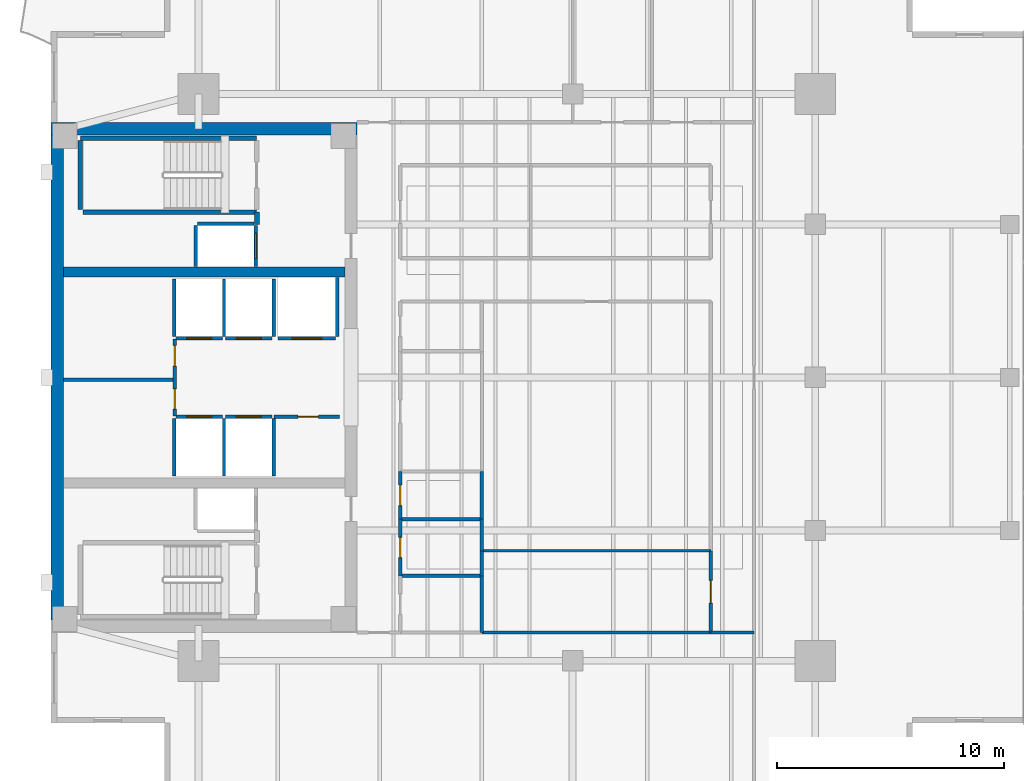
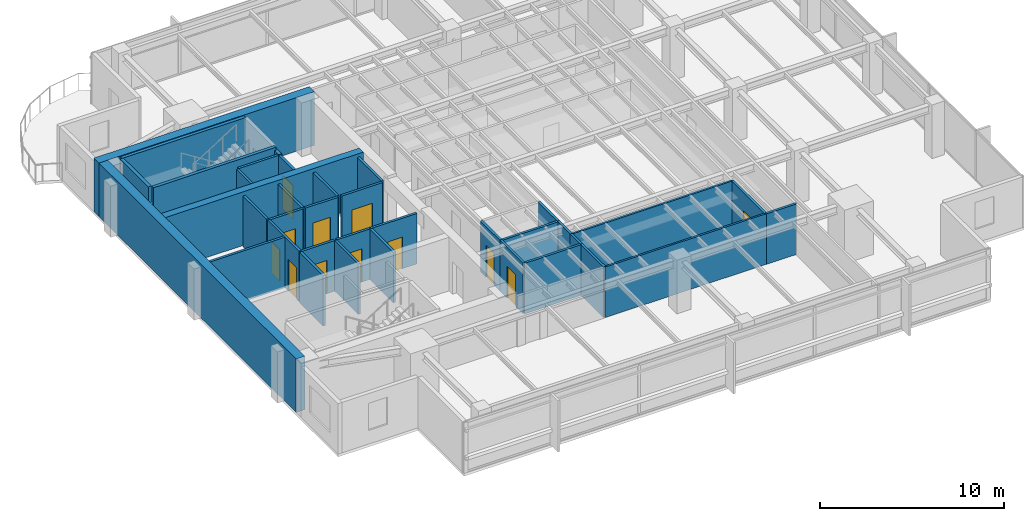
# One storey, part 8 of 15: 37 walls, 12 doors, 12 openings.
"""IFC4 building model written with IfcOpenShell, lengths in metres."""

from ifc_helpers import new_model, si_unit, direction, frame, frame_2d, origin, place, context, subcontext, project, spatial, rectangle, extrude, material, layer, layer_set, type_object, element, fill, save


model = new_model("IFC4")

# Units and contexts
model_context = context("Model", 3, precision=1e-05, world=origin(), true_north=direction((0.0, 1.0)))
body_context = subcontext(model_context, "Body", "Model", "MODEL_VIEW")
ifc_project = project(units=[si_unit("LENGTHUNIT", "METRE"), si_unit("AREAUNIT", "SQUARE_METRE"), si_unit("VOLUMEUNIT", "CUBIC_METRE"), si_unit("PLANEANGLEUNIT", "RADIAN"), si_unit("MASSUNIT", "GRAM", prefix="KILO")], contexts=[model_context])

# Site, building, storey
site_placement = place(None, origin())
site = spatial("IfcSite", under=ifc_project, at=site_placement, CompositionType="ELEMENT")
building_placement = place(site_placement, origin())
building = spatial("IfcBuilding", under=site, at=building_placement, Name="Kinhvarn Gate Tower", CompositionType="ELEMENT")
storey_placement = place(building_placement, frame((0.0, 0.0, 237.75)))
storey = spatial("IfcBuildingStorey", under=building, at=storey_placement, Name="L63", CompositionType="ELEMENT", Elevation=237.75)

# Walls
ifc_material_1 = material(Name="Concrete C50/60", Category="concrete")
ifc_layer_1 = layer(ifc_material_1, 0.449951171875)
ifc_layer_set_1 = layer_set([ifc_layer_1], Name="Concrete C50/60")
wall_type_1 = type_object("IfcWallType", Name="WL-CORE-450", PredefinedType="SHEAR", material=ifc_layer_set_1)
wall_1_placement = place(storey_placement, frame((5.050048828125, 29.89990234375, 0.0), z_axis=(0.0, 0.0, 1.0), x_axis=(1.0, 0.0, 0.0)))
element("IfcWall", 1, at=wall_1_placement, inside=storey, type_object=wall_type_1, Name="Core North Spine Shear Wall L63 450 mm", PredefinedType="SHEAR", context=body_context, shape_type="SweptSolid", body=[
    extrude(rectangle(XDim=12.39990234375, YDim=0.449951171875, at=frame_2d((6.199951171875, 0.0))), origin(), (0.0, 0.0, 1.0), 3.550048828125),
])
ifc_material_2 = material(Name="Concrete C60/75", Category="concrete")
ifc_layer_2 = layer(ifc_material_2, 0.550048828125)
ifc_layer_set_2 = layer_set([ifc_layer_2], Name="Concrete C60/75")
wall_type_2 = type_object("IfcWallType", Name="WL-CORE-550", PredefinedType="SHEAR", material=ifc_layer_set_2)
wall_2_placement = place(storey_placement, frame((4.5, 36.22509765625, 0.0), z_axis=(0.0, 0.0, 1.0), x_axis=(1.0, 0.0, 0.0)))
element("IfcWall", 2, at=wall_2_placement, inside=storey, type_object=wall_type_2, Name="Core North Shear Wall L63 550 mm", PredefinedType="SHEAR", context=body_context, shape_type="SweptSolid", body=[
    extrude(rectangle(XDim=13.5, YDim=0.550048828125, at=frame_2d((6.75, 0.0))), origin(), (0.0, 0.0, 1.0), 3.550048828125),
])
ifc_layer_3 = layer(ifc_material_2, 0.550048828125)
ifc_layer_set_3 = layer_set([ifc_layer_3], Name="Concrete C60/75")
wall_type_3 = type_object("IfcWallType", Name="WL-COREX-550", PredefinedType="SHEAR", material=ifc_layer_set_3)
wall_3_placement = place(storey_placement, frame((4.77490234375, 14.550048828125, 0.0), z_axis=(0.0, 0.0, 1.0), x_axis=(0.0, 1.0, 0.0)))
element("IfcWall", 3, at=wall_3_placement, inside=storey, type_object=wall_type_3, Name="Core West Shear Wall L63 550 mm", PredefinedType="SHEAR", context=body_context, shape_type="SweptSolid", body=[
    extrude(rectangle(XDim=21.39990234375, YDim=0.550048828125, at=frame_2d((10.699951171875, 0.0))), origin(), (0.0, 0.0, 1.0), 3.550048828125),
])
ifc_material_3 = material(Name="Gypsum acoustic partition board")
ifc_layer_4 = layer(ifc_material_3, 0.14990234375)
ifc_layer_set_4 = layer_set([ifc_layer_4], Name="Gypsum acoustic partition board")
wall_type_4 = type_object("IfcWallType", Name="WL-PLM-150", PredefinedType="PLUMBINGWALL", material=ifc_layer_set_4)
wall_4_placement = place(storey_placement, frame((19.89990234375, 16.5, 0.0), z_axis=(0.0, 0.0, 1.0), x_axis=(1.0, 0.0, 0.0)))
element("IfcWall", 4, at=wall_4_placement, inside=storey, type_object=wall_type_4, Name="Interior Partition PLW-150 (L63)", PredefinedType="PLUMBINGWALL", context=body_context, shape_type="SweptSolid", body=[
    extrude(rectangle(XDim=3.60009765625, YDim=0.14990234375, at=frame_2d((1.800048828125, 0.0))), origin(), (0.0, 0.0, 1.0), 3.35009765625),
])
wall_5_placement = place(storey_placement, frame((23.5, 14.0, 0.0), z_axis=(0.0, 0.0, 1.0), x_axis=(0.0, 1.0, 0.0)))
element("IfcWall", 5, at=wall_5_placement, inside=storey, type_object=wall_type_4, Name="Interior Partition PLW-150 (L63)", PredefinedType="PLUMBINGWALL", context=body_context, shape_type="SweptSolid", body=[
    extrude(rectangle(XDim=2.5, YDim=0.14990234375, at=frame_2d((1.25, 0.0))), origin(), (0.0, 0.0, 1.0), 3.35009765625),
])
wall_6_placement = place(storey_placement, frame((19.89990234375, 19.0, 0.0), z_axis=(0.0, 0.0, 1.0), x_axis=(1.0, 0.0, 0.0)))
element("IfcWall", 6, at=wall_6_placement, inside=storey, type_object=wall_type_4, Name="Interior Partition PLW-150 (L63)", PredefinedType="PLUMBINGWALL", context=body_context, shape_type="SweptSolid", body=[
    extrude(rectangle(XDim=3.60009765625, YDim=0.14990234375, at=frame_2d((1.800048828125, 0.0))), origin(), (0.0, 0.0, 1.0), 3.35009765625),
])
wall_7_placement = place(storey_placement, frame((23.5, 16.5, 0.0), z_axis=(0.0, 0.0, 1.0), x_axis=(0.0, 1.0, 0.0)))
element("IfcWall", 7, at=wall_7_placement, inside=storey, type_object=wall_type_4, Name="Interior Partition PLW-150 (L63)", PredefinedType="PLUMBINGWALL", context=body_context, shape_type="SweptSolid", body=[
    extrude(rectangle(XDim=1.10009765625, YDim=0.14990234375, at=frame_2d((0.550048828125, 0.0))), origin(), (0.0, 0.0, 1.0), 3.35009765625),
])
wall_8_placement = place(storey_placement, frame((23.5, 17.60009765625, 0.0), z_axis=(0.0, 0.0, 1.0), x_axis=(0.0, 1.0, 0.0)))
element("IfcWall", 8, at=wall_8_placement, inside=storey, type_object=wall_type_4, Name="Interior Partition PLW-150 (L63)", PredefinedType="PLUMBINGWALL", context=body_context, shape_type="SweptSolid", body=[
    extrude(rectangle(XDim=1.39990234375, YDim=0.14990234375, at=frame_2d((0.699951171875, 0.0))), origin(), (0.0, 0.0, 1.0), 3.35009765625),
])
wall_9_placement = place(storey_placement, frame((23.5, 19.0, 0.0), z_axis=(0.0, 0.0, 1.0), x_axis=(0.0, 1.0, 0.0)))
element("IfcWall", 9, at=wall_9_placement, inside=storey, type_object=wall_type_4, Name="Interior Partition PLW-150 (L63)", PredefinedType="PLUMBINGWALL", context=body_context, shape_type="SweptSolid", body=[
    extrude(rectangle(XDim=2.10009765625, YDim=0.14990234375, at=frame_2d((1.050048828125, 0.0))), origin(), (0.0, 0.0, 1.0), 3.35009765625),
])

# Wall, opening, door
ifc_layer_5 = layer(ifc_material_3, 0.14990234375)
ifc_layer_set_5 = layer_set([ifc_layer_5], Name="Gypsum acoustic partition board")
wall_type_5 = type_object("IfcWallType", Name="WL-PLM-150F", PredefinedType="PLUMBINGWALL", material=ifc_layer_set_5)
wall_10_placement = place(storey_placement, frame((19.89990234375, 16.5, 0.0), z_axis=(0.0, 0.0, 1.0), x_axis=(0.0, 1.0, 0.0)))
wall_10 = element("IfcWall", 10, at=wall_10_placement, inside=storey, type_object=wall_type_5, Name="Interior Partition PLW-150F (L63)", PredefinedType="PLUMBINGWALL", context=body_context, shape_type="SweptSolid", body=[
    extrude(rectangle(XDim=2.5, YDim=0.14990234375, at=frame_2d((1.25, 0.0))), origin(), (0.0, 0.0, 1.0), 3.35009765625),
])
opening_1_placement = place(wall_10_placement, frame((0.800048828125, 0.0, 0.0)))
opening_1 = element("IfcOpeningElement", 11, at=opening_1_placement, cuts=wall_10, Name="Opening FD-04", PredefinedType="OPENING", context=body_context, shape_type="SweptSolid", body=[
    extrude(rectangle(XDim=0.89990234375, YDim=2.10009765625, at=frame_2d((0.449951171875, 1.050048828125))), frame((0.0, 0.0849609375, 0.0), z_axis=(0.0, -1.0, 0.0), x_axis=(1.0, 0.0, 0.0)), (0.0, 0.0, 1.0), 0.169921875),
])
ifc_material_4 = material(Name="Anodised aluminium AW-6063", Category="aluminium")
door_type_1 = type_object("IfcDoorType", Name="DR-FD-900", OperationType="NOTDEFINED", PredefinedType="DOOR", material=ifc_material_4)
door_1_placement = place(opening_1_placement, origin())
door_1 = element("IfcDoor", 12, at=door_1_placement, inside=storey, type_object=door_type_1, Name="Rated Riser & Service Closet Fire Door 900x2100 mm (L63)", OperationType="SINGLE_SWING_RIGHT", OverallHeight=2.10009765625, OverallWidth=0.89990234375, PredefinedType="DOOR", context=body_context, shape_type="SweptSolid", body=[
    extrude(rectangle(XDim=0.89990234375, YDim=2.10009765625, at=frame_2d((0.449951171875, 1.050048828125))), frame((0.0, 0.02490234375, 0.0), z_axis=(0.0, -1.0, 0.0), x_axis=(1.0, 0.0, 0.0)), (0.0, 0.0, 1.0), 0.050048828125),
])
fill(opening_1, door_1)

wall_11_placement = place(storey_placement, frame((19.89990234375, 19.0, 0.0), z_axis=(0.0, 0.0, 1.0), x_axis=(0.0, 1.0, 0.0)))
wall_11 = element("IfcWall", 13, at=wall_11_placement, inside=storey, type_object=wall_type_5, Name="Interior Partition PLW-150F (L63)", PredefinedType="PLUMBINGWALL", context=body_context, shape_type="SweptSolid", body=[
    extrude(rectangle(XDim=2.10009765625, YDim=0.14990234375, at=frame_2d((1.050048828125, 0.0))), origin(), (0.0, 0.0, 1.0), 3.35009765625),
])
opening_2_placement = place(wall_11_placement, frame((0.60009765625, 0.0, 0.0)))
opening_2 = element("IfcOpeningElement", 14, at=opening_2_placement, cuts=wall_11, Name="Opening FD-04", PredefinedType="OPENING", context=body_context, shape_type="SweptSolid", body=[
    extrude(rectangle(XDim=0.89990234375, YDim=2.10009765625, at=frame_2d((0.449951171875, 1.050048828125))), frame((0.0, 0.0849609375, 0.0), z_axis=(0.0, -1.0, 0.0), x_axis=(1.0, 0.0, 0.0)), (0.0, 0.0, 1.0), 0.169921875),
])
door_2_placement = place(opening_2_placement, origin())
door_2 = element("IfcDoor", 15, at=door_2_placement, inside=storey, type_object=door_type_1, Name="Rated Riser & Service Closet Fire Door 900x2100 mm (L63)", OperationType="SINGLE_SWING_LEFT", OverallHeight=2.10009765625, OverallWidth=0.89990234375, PredefinedType="DOOR", context=body_context, shape_type="SweptSolid", body=[
    extrude(rectangle(XDim=0.89990234375, YDim=2.10009765625, at=frame_2d((0.449951171875, 1.050048828125))), frame((0.0, 0.02490234375, 0.0), z_axis=(0.0, -1.0, 0.0), x_axis=(1.0, 0.0, 0.0)), (0.0, 0.0, 1.0), 0.050048828125),
])
fill(opening_2, door_2)

# Walls
ifc_layer_6 = layer(ifc_material_3, 0.1201171875)
ifc_layer_set_6 = layer_set([ifc_layer_6], Name="Gypsum acoustic partition board")
wall_type_6 = type_object("IfcWallType", Name="WL-PRT-120", PredefinedType="PARTITIONING", material=ifc_layer_set_6)
for number, where, z_axis, x_axis, name in (
    (16, (23.5, 17.60009765625, 0.0), (0.0, 0.0, 1.0), (1.0, 0.0, 0.0), "Interior Partition PW-120 (L63)"),
    (17, (23.5, 14.0, 0.0), (0.0, 0.0, 1.0), (1.0, 0.0, 0.0), "Interior Partition PW-120 (L63)"),
):
    element("IfcWall", number, at=place(storey_placement, frame(where, z_axis=z_axis, x_axis=x_axis)), inside=storey, type_object=wall_type_6, Name=name, PredefinedType="PARTITIONING", context=body_context, shape_type="SweptSolid", body=[
        extrude(rectangle(XDim=10.10009765625, YDim=0.1201171875, at=frame_2d((5.050048828125, 0.0))), origin(), (0.0, 0.0, 1.0), 3.35009765625),
    ])
ifc_layer_7 = layer(ifc_material_3, 0.14990234375)
ifc_layer_set_7 = layer_set([ifc_layer_7], Name="Gypsum acoustic partition board")
wall_type_7 = type_object("IfcWallType", Name="WL-PRT-150F", PredefinedType="PARTITIONING", material=ifc_layer_set_7)
wall_12_placement = place(storey_placement, frame((5.050048828125, 25.14990234375, 0.0), z_axis=(0.0, 0.0, 1.0), x_axis=(1.0, 0.0, 0.0)))
element("IfcWall", 18, at=wall_12_placement, inside=storey, type_object=wall_type_7, Name="Interior Partition PW-150F (L63)", PredefinedType="PARTITIONING", context=body_context, shape_type="SweptSolid", body=[
    extrude(rectangle(XDim=4.89990234375, YDim=0.14990234375, at=frame_2d((2.449951171875, 0.0))), origin(), (0.0, 0.0, 1.0), 3.35009765625),
])

# Wall, openings, doors
wall_13_placement = place(storey_placement, frame((9.949951171875, 23.550048828125, 0.0), z_axis=(0.0, 0.0, 1.0), x_axis=(0.0, 1.0, 0.0)))
wall_13 = element("IfcWall", 19, at=wall_13_placement, inside=storey, type_object=wall_type_7, Name="Interior Partition PW-150F (L63)", PredefinedType="PARTITIONING", context=body_context, shape_type="SweptSolid", body=[
    extrude(rectangle(XDim=3.39990234375, YDim=0.14990234375, at=frame_2d((1.699951171875, 0.0))), origin(), (0.0, 0.0, 1.0), 3.35009765625),
])
opening_3_placement = place(wall_13_placement, frame((0.298095703125, 0.0, 0.0)))
opening_3 = element("IfcOpeningElement", 20, at=opening_3_placement, cuts=wall_13, Name="Opening FD-04", PredefinedType="OPENING", context=body_context, shape_type="SweptSolid", body=[
    extrude(rectangle(XDim=0.89990234375, YDim=2.10009765625, at=frame_2d((0.449951171875, 1.050048828125))), frame((0.0, 0.0849609375, 0.0), z_axis=(0.0, -1.0, 0.0), x_axis=(1.0, 0.0, 0.0)), (0.0, 0.0, 1.0), 0.169921875),
])
opening_4_placement = place(wall_13_placement, frame((2.201904296875, 0.0, 0.0)))
opening_4 = element("IfcOpeningElement", 21, at=opening_4_placement, cuts=wall_13, Name="Opening FD-04", PredefinedType="OPENING", context=body_context, shape_type="SweptSolid", body=[
    extrude(rectangle(XDim=0.89990234375, YDim=2.10009765625, at=frame_2d((0.449951171875, 1.050048828125))), frame((0.0, 0.0849609375, 0.0), z_axis=(0.0, -1.0, 0.0), x_axis=(1.0, 0.0, 0.0)), (0.0, 0.0, 1.0), 0.169921875),
])
door_3_placement = place(opening_3_placement, origin())
door_3 = element("IfcDoor", 22, at=door_3_placement, inside=storey, type_object=door_type_1, Name="Rated Riser & Service Closet Fire Door 900x2100 mm (L63)", OperationType="SINGLE_SWING_LEFT", OverallHeight=2.10009765625, OverallWidth=0.89990234375, PredefinedType="DOOR", context=body_context, shape_type="SweptSolid", body=[
    extrude(rectangle(XDim=0.89990234375, YDim=2.10009765625, at=frame_2d((0.449951171875, 1.050048828125))), frame((0.0, 0.02490234375, 0.0), z_axis=(0.0, -1.0, 0.0), x_axis=(1.0, 0.0, 0.0)), (0.0, 0.0, 1.0), 0.050048828125),
])
fill(opening_3, door_3)
door_4_placement = place(opening_4_placement, origin())
door_4 = element("IfcDoor", 23, at=door_4_placement, inside=storey, type_object=door_type_1, Name="Rated Riser & Service Closet Fire Door 900x2100 mm (L63)", OperationType="SINGLE_SWING_RIGHT", OverallHeight=2.10009765625, OverallWidth=0.89990234375, PredefinedType="DOOR", context=body_context, shape_type="SweptSolid", body=[
    extrude(rectangle(XDim=0.89990234375, YDim=2.10009765625, at=frame_2d((0.449951171875, 1.050048828125))), frame((0.0, 0.02490234375, 0.0), z_axis=(0.0, -1.0, 0.0), x_axis=(1.0, 0.0, 0.0)), (0.0, 0.0, 1.0), 0.050048828125),
])
fill(opening_4, door_4)

# Wall, opening, door
wall_14_placement = place(storey_placement, frame((14.330078125, 23.52001953125, 0.0), z_axis=(0.0, 0.0, 1.0), x_axis=(1.0, 0.0, 0.0)))
wall_14 = element("IfcWall", 24, at=wall_14_placement, inside=storey, type_object=wall_type_7, Name="Interior Partition PW-150F (L63)", PredefinedType="PARTITIONING", context=body_context, shape_type="SweptSolid", body=[
    extrude(rectangle(XDim=2.889892578125, YDim=0.14990234375, at=frame_2d((1.44482421875, 0.0))), origin(), (0.0, 0.0, 1.0), 3.35009765625),
])
opening_5_placement = place(wall_14_placement, frame((1.052734375, 0.0, 0.0)))
opening_5 = element("IfcOpeningElement", 25, at=opening_5_placement, cuts=wall_14, Name="Opening FD-04", PredefinedType="OPENING", context=body_context, shape_type="SweptSolid", body=[
    extrude(rectangle(XDim=0.89990234375, YDim=2.10009765625, at=frame_2d((0.449951171875, 1.050048828125))), frame((0.0, 0.0849609375, 0.0), z_axis=(0.0, -1.0, 0.0), x_axis=(1.0, 0.0, 0.0)), (0.0, 0.0, 1.0), 0.169921875),
])
door_5_placement = place(opening_5_placement, origin())
door_5 = element("IfcDoor", 26, at=door_5_placement, inside=storey, type_object=door_type_1, Name="Rated Riser & Service Closet Fire Door 900x2100 mm (L63)", OperationType="SINGLE_SWING_LEFT", OverallHeight=2.10009765625, OverallWidth=0.89990234375, PredefinedType="DOOR", context=body_context, shape_type="SweptSolid", body=[
    extrude(rectangle(XDim=0.89990234375, YDim=2.10009765625, at=frame_2d((0.449951171875, 1.050048828125))), frame((0.0, 0.02490234375, 0.0), z_axis=(0.0, -1.0, 0.0), x_axis=(1.0, 0.0, 0.0)), (0.0, 0.0, 1.0), 0.050048828125),
])
fill(opening_5, door_5)

wall_15_placement = place(storey_placement, frame((33.60009765625, 14.0, 0.0), z_axis=(0.0, 0.0, 1.0), x_axis=(0.0, 1.0, 0.0)))
wall_15 = element("IfcWall", 27, at=wall_15_placement, inside=storey, type_object=wall_type_7, Name="Interior Partition PW-150F (L63)", PredefinedType="PARTITIONING", context=body_context, shape_type="SweptSolid", body=[
    extrude(rectangle(XDim=3.60009765625, YDim=0.14990234375, at=frame_2d((1.800048828125, 0.0))), origin(), (0.0, 0.0, 1.0), 3.35009765625),
])
opening_6_placement = place(wall_15_placement, frame((1.300048828125, 0.0, 0.0)))
opening_6 = element("IfcOpeningElement", 28, at=opening_6_placement, cuts=wall_15, Name="Opening ID-02", PredefinedType="OPENING", context=body_context, shape_type="SweptSolid", body=[
    extrude(rectangle(XDim=1.0, YDim=2.14990234375, at=frame_2d((0.5, 1.074951171875))), frame((0.0, 0.0849609375, 0.0), z_axis=(0.0, -1.0, 0.0), x_axis=(1.0, 0.0, 0.0)), (0.0, 0.0, 1.0), 0.169921875),
])
door_type_2 = type_object("IfcDoorType", Name="DR-INT-1000", OperationType="NOTDEFINED", PredefinedType="DOOR", material=ifc_material_4)
door_6_placement = place(opening_6_placement, origin())
door_6 = element("IfcDoor", 29, at=door_6_placement, inside=storey, type_object=door_type_2, Name="Standard Office & Meeting Room Door 1000x2150 mm (L63)", OperationType="SINGLE_SWING_RIGHT", OverallHeight=2.14990234375, OverallWidth=1.0, PredefinedType="DOOR", context=body_context, shape_type="SweptSolid", body=[
    extrude(rectangle(XDim=1.0, YDim=2.14990234375, at=frame_2d((0.5, 1.074951171875))), frame((0.0, 0.02490234375, 0.0), z_axis=(0.0, -1.0, 0.0), x_axis=(1.0, 0.0, 0.0)), (0.0, 0.0, 1.0), 0.050048828125),
])
fill(opening_6, door_6)

# Walls
wall_16_placement = place(storey_placement, frame((33.60009765625, 14.0, 0.0), z_axis=(0.0, 0.0, 1.0), x_axis=(1.0, 0.0, 0.0)))
element("IfcWall", 30, at=wall_16_placement, inside=storey, type_object=wall_type_7, Name="Interior Partition PW-150F (L63)", PredefinedType="PARTITIONING", context=body_context, shape_type="SweptSolid", body=[
    extrude(rectangle(XDim=1.89990234375, YDim=0.14990234375, at=frame_2d((0.949951171875, 0.0))), origin(), (0.0, 0.0, 1.0), 3.35009765625),
])
ifc_layer_8 = layer(ifc_material_3, 0.199951171875)
ifc_layer_set_8 = layer_set([ifc_layer_8], Name="Gypsum acoustic partition board")
wall_type_8 = type_object("IfcWallType", Name="WL-PRT-200", PredefinedType="PARTITIONING", material=ifc_layer_set_8)
wall_17_placement = place(storey_placement, frame((13.580078125, 32.0, 0.0), z_axis=(0.0, 0.0, 1.0), x_axis=(0.0, 1.0, 0.0)))
element("IfcWall", 31, at=wall_17_placement, inside=storey, type_object=wall_type_8, Name="Interior Partition PW-200 (L63)", PredefinedType="PARTITIONING", context=body_context, shape_type="SweptSolid", body=[
    extrude(rectangle(XDim=0.5400390625, YDim=0.199951171875, at=frame_2d((0.27001953125, 0.0))), origin(), (0.0, 0.0, 1.0), 3.35009765625),
])

# Wall, opening, door
ifc_layer_9 = layer(ifc_material_3, 0.14990234375)
ifc_layer_set_9 = layer_set([ifc_layer_9], Name="Gypsum acoustic partition board")
wall_type_9 = type_object("IfcWallType", Name="WL-SHF-150", PredefinedType="PARTITIONING", material=ifc_layer_set_9)
wall_18_placement = place(storey_placement, frame((10.0, 23.52490234375, 0.0), z_axis=(0.0, 0.0, 1.0), x_axis=(1.0, 0.0, 0.0)))
wall_18 = element("IfcWall", 32, at=wall_18_placement, inside=storey, type_object=wall_type_9, Name="Elevator PH-09 Landing Wall (L63)", PredefinedType="PARTITIONING", context=body_context, shape_type="SweptSolid", body=[
    extrude(rectangle(XDim=2.050048828125, YDim=0.14990234375, at=frame_2d((1.02490234375, 0.0))), origin(), (0.0, 0.0, 1.0), 3.35009765625),
])
opening_7_placement = place(wall_18_placement, frame((0.47509765625, 0.0, 0.0)))
opening_7 = element("IfcOpeningElement", 33, at=opening_7_placement, cuts=wall_18, Name="Opening LD-01", PredefinedType="OPENING", context=body_context, shape_type="SweptSolid", body=[
    extrude(rectangle(XDim=1.10009765625, YDim=2.199951171875, at=frame_2d((0.550048828125, 1.10009765625))), frame((0.0, 0.0849609375, 0.0), z_axis=(0.0, -1.0, 0.0), x_axis=(1.0, 0.0, 0.0)), (0.0, 0.0, 1.0), 0.169921875),
])
door_type_3 = type_object("IfcDoorType", Name="DR-LND-PAS", OperationType="NOTDEFINED", PredefinedType="DOOR", material=ifc_material_4)
door_7_placement = place(opening_7_placement, origin())
door_7 = element("IfcDoor", 34, at=door_7_placement, inside=storey, type_object=door_type_3, Name="Elevator PH-09 Sliding Landing Door (L63)", OperationType="DOUBLE_DOOR_SLIDING", OverallHeight=2.199951171875, OverallWidth=1.10009765625, PredefinedType="DOOR", context=body_context, shape_type="SweptSolid", body=[
    extrude(rectangle(XDim=1.10009765625, YDim=2.199951171875, at=frame_2d((0.550048828125, 1.10009765625))), frame((0.0, 0.02490234375, 0.0), z_axis=(0.0, -1.0, 0.0), x_axis=(1.0, 0.0, 0.0)), (0.0, 0.0, 1.0), 0.050048828125),
])
fill(opening_7, door_7)

# Walls
for number, where, z_axis, x_axis, name in (
    (35, (9.925048828125, 20.89990234375, 0.0), (0.0, 0.0, 1.0), (0.0, 1.0, 0.0), "Elevator PH-09 Hoistway Wall W (L63)"),
    (36, (12.125, 20.89990234375, 0.0), (0.0, 0.0, 1.0), (0.0, 1.0, 0.0), "Elevator PH-09 Hoistway Wall E (L63)"),
):
    element("IfcWall", number, at=place(storey_placement, frame(where, z_axis=z_axis, x_axis=x_axis)), inside=storey, type_object=wall_type_9, Name=name, PredefinedType="PARTITIONING", context=body_context, shape_type="SweptSolid", body=[
        extrude(rectangle(XDim=2.550048828125, YDim=0.14990234375, at=frame_2d((1.27490234375, 0.0))), origin(), (0.0, 0.0, 1.0), 3.35009765625),
    ])

# Wall, opening, door
wall_19_placement = place(storey_placement, frame((12.199951171875, 23.52490234375, 0.0), z_axis=(0.0, 0.0, 1.0), x_axis=(1.0, 0.0, 0.0)))
wall_19 = element("IfcWall", 37, at=wall_19_placement, inside=storey, type_object=wall_type_9, Name="Elevator PH-10 Landing Wall (L63)", PredefinedType="PARTITIONING", context=body_context, shape_type="SweptSolid", body=[
    extrude(rectangle(XDim=2.050048828125, YDim=0.14990234375, at=frame_2d((1.02490234375, 0.0))), origin(), (0.0, 0.0, 1.0), 3.35009765625),
])
opening_8_placement = place(wall_19_placement, frame((0.47509765625, 0.0, 0.0)))
opening_8 = element("IfcOpeningElement", 38, at=opening_8_placement, cuts=wall_19, Name="Opening LD-01", PredefinedType="OPENING", context=body_context, shape_type="SweptSolid", body=[
    extrude(rectangle(XDim=1.10009765625, YDim=2.199951171875, at=frame_2d((0.550048828125, 1.10009765625))), frame((0.0, 0.0849609375, 0.0), z_axis=(0.0, -1.0, 0.0), x_axis=(1.0, 0.0, 0.0)), (0.0, 0.0, 1.0), 0.169921875),
])
door_8_placement = place(opening_8_placement, origin())
door_8 = element("IfcDoor", 39, at=door_8_placement, inside=storey, type_object=door_type_3, Name="Elevator PH-10 Sliding Landing Door (L63)", OperationType="DOUBLE_DOOR_SLIDING", OverallHeight=2.199951171875, OverallWidth=1.10009765625, PredefinedType="DOOR", context=body_context, shape_type="SweptSolid", body=[
    extrude(rectangle(XDim=1.10009765625, YDim=2.199951171875, at=frame_2d((0.550048828125, 1.10009765625))), frame((0.0, 0.02490234375, 0.0), z_axis=(0.0, -1.0, 0.0), x_axis=(1.0, 0.0, 0.0)), (0.0, 0.0, 1.0), 0.050048828125),
])
fill(opening_8, door_8)

# Wall
wall_20_placement = place(storey_placement, frame((14.324951171875, 20.89990234375, 0.0), z_axis=(0.0, 0.0, 1.0), x_axis=(0.0, 1.0, 0.0)))
element("IfcWall", 40, at=wall_20_placement, inside=storey, type_object=wall_type_9, Name="Elevator PH-10 Hoistway Wall E (L63)", PredefinedType="PARTITIONING", context=body_context, shape_type="SweptSolid", body=[
    extrude(rectangle(XDim=2.550048828125, YDim=0.14990234375, at=frame_2d((1.27490234375, 0.0))), origin(), (0.0, 0.0, 1.0), 3.35009765625),
])

# Wall, opening, door
wall_21_placement = place(storey_placement, frame((10.0, 26.97509765625, 0.0), z_axis=(0.0, 0.0, 1.0), x_axis=(1.0, 0.0, 0.0)))
wall_21 = element("IfcWall", 41, at=wall_21_placement, inside=storey, type_object=wall_type_9, Name="Elevator PH-11 Landing Wall (L63)", PredefinedType="PARTITIONING", context=body_context, shape_type="SweptSolid", body=[
    extrude(rectangle(XDim=2.050048828125, YDim=0.14990234375, at=frame_2d((1.02490234375, 0.0))), origin(), (0.0, 0.0, 1.0), 3.35009765625),
])
opening_9_placement = place(wall_21_placement, frame((0.47509765625, 0.0, 0.0)))
opening_9 = element("IfcOpeningElement", 42, at=opening_9_placement, cuts=wall_21, Name="Opening LD-01", PredefinedType="OPENING", context=body_context, shape_type="SweptSolid", body=[
    extrude(rectangle(XDim=1.10009765625, YDim=2.199951171875, at=frame_2d((0.550048828125, 1.10009765625))), frame((0.0, 0.0849609375, 0.0), z_axis=(0.0, -1.0, 0.0), x_axis=(1.0, 0.0, 0.0)), (0.0, 0.0, 1.0), 0.169921875),
])
door_9_placement = place(opening_9_placement, origin())
door_9 = element("IfcDoor", 43, at=door_9_placement, inside=storey, type_object=door_type_3, Name="Elevator PH-11 Sliding Landing Door (L63)", OperationType="DOUBLE_DOOR_SLIDING", OverallHeight=2.199951171875, OverallWidth=1.10009765625, PredefinedType="DOOR", context=body_context, shape_type="SweptSolid", body=[
    extrude(rectangle(XDim=1.10009765625, YDim=2.199951171875, at=frame_2d((0.550048828125, 1.10009765625))), frame((0.0, 0.02490234375, 0.0), z_axis=(0.0, -1.0, 0.0), x_axis=(1.0, 0.0, 0.0)), (0.0, 0.0, 1.0), 0.050048828125),
])
fill(opening_9, door_9)

# Walls
for number, where, z_axis, x_axis, name in (
    (44, (9.925048828125, 27.050048828125, 0.0), (0.0, 0.0, 1.0), (0.0, 1.0, 0.0), "Elevator PH-11 Hoistway Wall W (L63)"),
    (45, (12.125, 27.050048828125, 0.0), (0.0, 0.0, 1.0), (0.0, 1.0, 0.0), "Elevator PH-11 Hoistway Wall E (L63)"),
):
    element("IfcWall", number, at=place(storey_placement, frame(where, z_axis=z_axis, x_axis=x_axis)), inside=storey, type_object=wall_type_9, Name=name, PredefinedType="PARTITIONING", context=body_context, shape_type="SweptSolid", body=[
        extrude(rectangle(XDim=2.550048828125, YDim=0.14990234375, at=frame_2d((1.27490234375, 0.0))), origin(), (0.0, 0.0, 1.0), 3.35009765625),
    ])

# Wall, opening, door
wall_22_placement = place(storey_placement, frame((12.199951171875, 26.97509765625, 0.0), z_axis=(0.0, 0.0, 1.0), x_axis=(1.0, 0.0, 0.0)))
wall_22 = element("IfcWall", 46, at=wall_22_placement, inside=storey, type_object=wall_type_9, Name="Elevator PH-12 Landing Wall (L63)", PredefinedType="PARTITIONING", context=body_context, shape_type="SweptSolid", body=[
    extrude(rectangle(XDim=2.050048828125, YDim=0.14990234375, at=frame_2d((1.02490234375, 0.0))), origin(), (0.0, 0.0, 1.0), 3.35009765625),
])
opening_10_placement = place(wall_22_placement, frame((0.47509765625, 0.0, 0.0)))
opening_10 = element("IfcOpeningElement", 47, at=opening_10_placement, cuts=wall_22, Name="Opening LD-01", PredefinedType="OPENING", context=body_context, shape_type="SweptSolid", body=[
    extrude(rectangle(XDim=1.10009765625, YDim=2.199951171875, at=frame_2d((0.550048828125, 1.10009765625))), frame((0.0, 0.0849609375, 0.0), z_axis=(0.0, -1.0, 0.0), x_axis=(1.0, 0.0, 0.0)), (0.0, 0.0, 1.0), 0.169921875),
])
door_10_placement = place(opening_10_placement, origin())
door_10 = element("IfcDoor", 48, at=door_10_placement, inside=storey, type_object=door_type_3, Name="Elevator PH-12 Sliding Landing Door (L63)", OperationType="DOUBLE_DOOR_SLIDING", OverallHeight=2.199951171875, OverallWidth=1.10009765625, PredefinedType="DOOR", context=body_context, shape_type="SweptSolid", body=[
    extrude(rectangle(XDim=1.10009765625, YDim=2.199951171875, at=frame_2d((0.550048828125, 1.10009765625))), frame((0.0, 0.02490234375, 0.0), z_axis=(0.0, -1.0, 0.0), x_axis=(1.0, 0.0, 0.0)), (0.0, 0.0, 1.0), 0.050048828125),
])
fill(opening_10, door_10)

# Wall
wall_23_placement = place(storey_placement, frame((14.324951171875, 27.050048828125, 0.0), z_axis=(0.0, 0.0, 1.0), x_axis=(0.0, 1.0, 0.0)))
element("IfcWall", 49, at=wall_23_placement, inside=storey, type_object=wall_type_9, Name="Elevator PH-12 Hoistway Wall E (L63)", PredefinedType="PARTITIONING", context=body_context, shape_type="SweptSolid", body=[
    extrude(rectangle(XDim=2.550048828125, YDim=0.14990234375, at=frame_2d((1.27490234375, 0.0))), origin(), (0.0, 0.0, 1.0), 3.35009765625),
])

# Wall, opening, door
wall_24_placement = place(storey_placement, frame((14.5, 26.97509765625, 0.0), z_axis=(0.0, 0.0, 1.0), x_axis=(1.0, 0.0, 0.0)))
wall_24 = element("IfcWall", 50, at=wall_24_placement, inside=storey, type_object=wall_type_9, Name="Elevator SV-01 Landing Wall (L63)", PredefinedType="PARTITIONING", context=body_context, shape_type="SweptSolid", body=[
    extrude(rectangle(XDim=2.550048828125, YDim=0.14990234375, at=frame_2d((1.27490234375, 0.0))), origin(), (0.0, 0.0, 1.0), 3.35009765625),
])
opening_11_placement = place(wall_24_placement, frame((0.625, 0.0, 0.0)))
opening_11 = element("IfcOpeningElement", 51, at=opening_11_placement, cuts=wall_24, Name="Opening LD-02", PredefinedType="OPENING", context=body_context, shape_type="SweptSolid", body=[
    extrude(rectangle(XDim=1.300048828125, YDim=2.199951171875, at=frame_2d((0.64990234375, 1.10009765625))), frame((0.0, 0.0849609375, 0.0), z_axis=(0.0, -1.0, 0.0), x_axis=(1.0, 0.0, 0.0)), (0.0, 0.0, 1.0), 0.169921875),
])
door_type_4 = type_object("IfcDoorType", Name="DR-LND-SRV", OperationType="NOTDEFINED", PredefinedType="DOOR", material=ifc_material_4)
door_11_placement = place(opening_11_placement, origin())
door_11 = element("IfcDoor", 52, at=door_11_placement, inside=storey, type_object=door_type_4, Name="Elevator SV-01 Sliding Landing Door (L63)", OperationType="DOUBLE_DOOR_SLIDING", OverallHeight=2.199951171875, OverallWidth=1.300048828125, PredefinedType="DOOR", context=body_context, shape_type="SweptSolid", body=[
    extrude(rectangle(XDim=1.300048828125, YDim=2.199951171875, at=frame_2d((0.64990234375, 1.10009765625))), frame((0.0, 0.02490234375, 0.0), z_axis=(0.0, -1.0, 0.0), x_axis=(1.0, 0.0, 0.0)), (0.0, 0.0, 1.0), 0.050048828125),
])
fill(opening_11, door_11)

# Walls
wall_25_placement = place(storey_placement, frame((17.125, 27.050048828125, 0.0), z_axis=(0.0, 0.0, 1.0), x_axis=(0.0, 1.0, 0.0)))
element("IfcWall", 53, at=wall_25_placement, inside=storey, type_object=wall_type_9, Name="Elevator SV-01 Hoistway Wall E (L63)", PredefinedType="PARTITIONING", context=body_context, shape_type="SweptSolid", body=[
    extrude(rectangle(XDim=2.599853515625, YDim=0.14990234375, at=frame_2d((1.2998046875, 0.0))), origin(), (0.0, 0.0, 1.0), 3.35009765625),
])
wall_26_placement = place(storey_placement, frame((10.949951171875, 32.02490234375, 0.0), z_axis=(0.0, 0.0, 1.0), x_axis=(1.0, 0.0, 0.0)))
element("IfcWall", 54, at=wall_26_placement, inside=storey, type_object=wall_type_9, Name="Elevator FF2 Hoistway Wall N (L63)", PredefinedType="PARTITIONING", context=body_context, shape_type="SweptSolid", body=[
    extrude(rectangle(XDim=2.5, YDim=0.14990234375, at=frame_2d((1.25, 0.0))), origin(), (0.0, 0.0, 1.0), 3.35009765625),
])
wall_27_placement = place(storey_placement, frame((10.875, 30.14990234375, 0.0), z_axis=(0.0, 0.0, 1.0), x_axis=(0.0, 1.0, 0.0)))
element("IfcWall", 55, at=wall_27_placement, inside=storey, type_object=wall_type_9, Name="Elevator FF2 Hoistway Wall W (L63)", PredefinedType="PARTITIONING", context=body_context, shape_type="SweptSolid", body=[
    extrude(rectangle(XDim=1.800048828125, YDim=0.14990234375, at=frame_2d((0.89990234375, 0.0))), origin(), (0.0, 0.0, 1.0), 3.35009765625),
])

# Wall, opening, door
wall_28_placement = place(storey_placement, frame((13.52490234375, 30.14990234375, 0.0), z_axis=(0.0, 0.0, 1.0), x_axis=(0.0, 1.0, 0.0)))
wall_28 = element("IfcWall", 56, at=wall_28_placement, inside=storey, type_object=wall_type_9, Name="Elevator FF2 Landing Wall (L63)", PredefinedType="PARTITIONING", context=body_context, shape_type="SweptSolid", body=[
    extrude(rectangle(XDim=1.800048828125, YDim=0.14990234375, at=frame_2d((0.89990234375, 0.0))), origin(), (0.0, 0.0, 1.0), 3.35009765625),
])
opening_12_placement = place(wall_28_placement, frame((0.35009765625, 0.0, 0.0)))
opening_12 = element("IfcOpeningElement", 57, at=opening_12_placement, cuts=wall_28, Name="Opening LD-03", PredefinedType="OPENING", context=body_context, shape_type="SweptSolid", body=[
    extrude(rectangle(XDim=1.10009765625, YDim=2.199951171875, at=frame_2d((0.550048828125, 1.10009765625))), frame((0.0, 0.0849609375, 0.0), z_axis=(0.0, -1.0, 0.0), x_axis=(1.0, 0.0, 0.0)), (0.0, 0.0, 1.0), 0.169921875),
])
door_type_5 = type_object("IfcDoorType", Name="DR-LND-FF", OperationType="NOTDEFINED", PredefinedType="DOOR", material=ifc_material_4)
door_12_placement = place(opening_12_placement, origin())
door_12 = element("IfcDoor", 58, at=door_12_placement, inside=storey, type_object=door_type_5, Name="Elevator FF2 Sliding Landing Door (L63)", OperationType="DOUBLE_DOOR_SLIDING", OverallHeight=2.199951171875, OverallWidth=1.10009765625, PredefinedType="DOOR", context=body_context, shape_type="SweptSolid", body=[
    extrude(rectangle(XDim=1.10009765625, YDim=2.199951171875, at=frame_2d((0.550048828125, 1.10009765625))), frame((0.0, 0.02490234375, 0.0), z_axis=(0.0, -1.0, 0.0), x_axis=(1.0, 0.0, 0.0)), (0.0, 0.0, 1.0), 0.050048828125),
])
fill(opening_12, door_12)

# Walls
ifc_material_5 = material(Name="Concrete C40/50", Category="concrete")
ifc_layer_10 = layer(ifc_material_5, 0.199951171875)
ifc_layer_set_10 = layer_set([ifc_layer_10], Name="Concrete C40/50")
wall_type_10 = type_object("IfcWallType", Name="WL-SHF-200", PredefinedType="SOLIDWALL", material=ifc_layer_set_10)
wall_29_placement = place(storey_placement, frame((5.800048828125, 35.800048828125, 0.0), z_axis=(0.0, 0.0, 1.0), x_axis=(1.0, 0.0, 0.0)))
element("IfcWall", 59, at=wall_29_placement, inside=storey, type_object=wall_type_10, Name="Stair ST2 North Shaft Wall (L63)", PredefinedType="SOLIDWALL", context=body_context, shape_type="SweptSolid", body=[
    extrude(rectangle(XDim=7.75, YDim=0.199951171875, at=frame_2d((3.875, 0.0))), origin(), (0.0, 0.0, 1.0), 3.550048828125),
])
wall_30_placement = place(storey_placement, frame((5.7900390625, 32.64990234375, 0.0), z_axis=(0.0, 0.0, 1.0), x_axis=(0.0, 1.0, 0.0)))
element("IfcWall", 60, at=wall_30_placement, inside=storey, type_object=wall_type_10, Name="Stair ST2 West Shaft Wall (L63)", PredefinedType="SOLIDWALL", context=body_context, shape_type="SweptSolid", body=[
    extrude(rectangle(XDim=3.050048828125, YDim=0.199951171875, at=frame_2d((1.52490234375, 0.0))), origin(), (0.0, 0.0, 1.0), 3.550048828125),
])
wall_31_placement = place(storey_placement, frame((5.89990234375, 32.5400390625, 0.0), z_axis=(0.0, 0.0, 1.0), x_axis=(1.0, 0.0, 0.0)))
element("IfcWall", 61, at=wall_31_placement, inside=storey, type_object=wall_type_10, Name="Stair ST2 South Shaft Wall (L63)", PredefinedType="SOLIDWALL", context=body_context, shape_type="SweptSolid", body=[
    extrude(rectangle(XDim=7.66015625, YDim=0.199951171875, at=frame_2d((3.830078125, 0.0))), origin(), (0.0, 0.0, 1.0), 3.550048828125),
])

save(model, "model.ifc")
